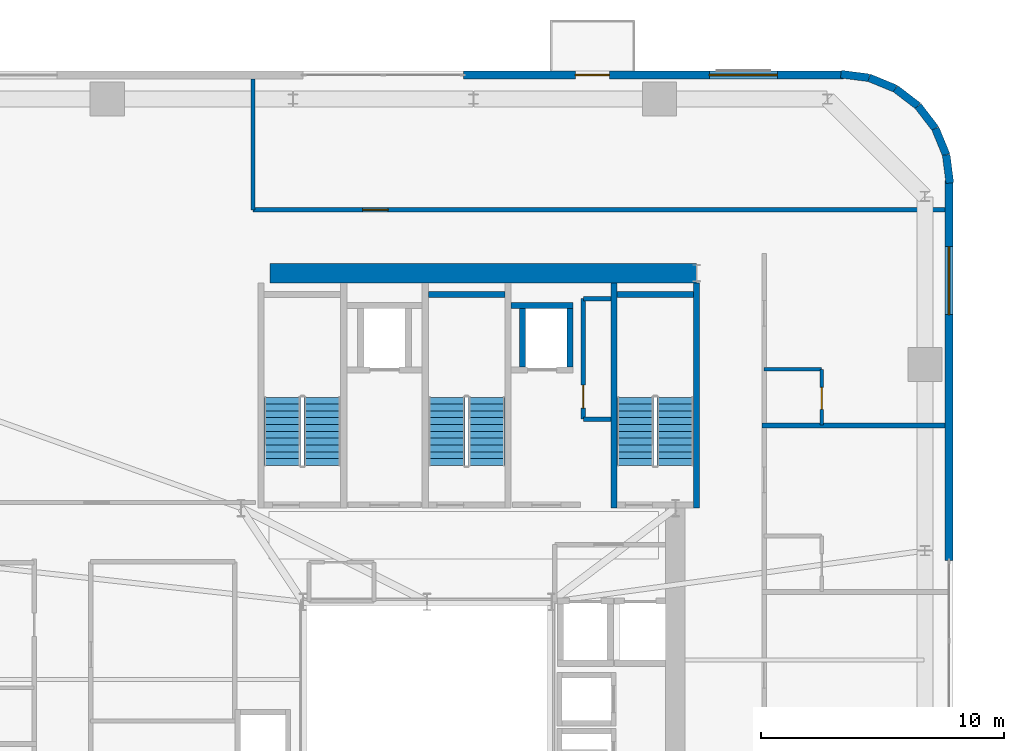
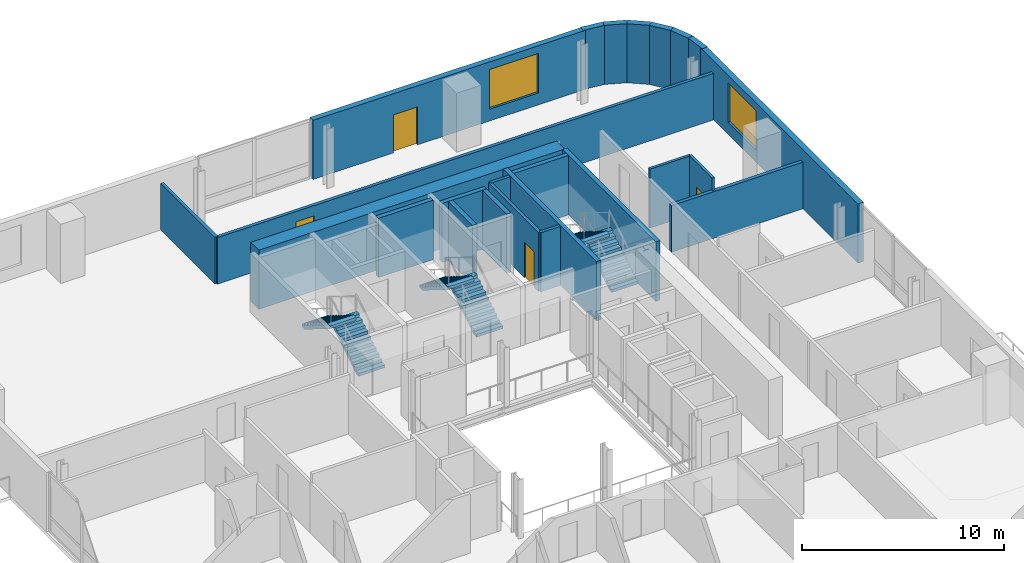
# One storey, part 11 of 16: 24 walls, 6 stair flights, 4 doors, 2 windows, 6 openings, 3 elements without a shape of their own.
"""IFC4 building model written with IfcOpenShell, lengths in metres."""

from ifc_helpers import new_model, si_unit, direction, frame, frame_2d, origin, place, context, subcontext, project, spatial, polyline, rectangle, outline, extrude, source, transform, mapped, material, layer, layer_set, type_object, element, fill, aggregate, save


model = new_model("IFC4")

# Units and contexts
model_context = context("Model", 3, precision=1e-05, world=origin(), true_north=direction((0.0, 1.0)))
body_context = subcontext(model_context, "Body", "Model", "MODEL_VIEW")
ifc_project = project(units=[si_unit("LENGTHUNIT", "METRE"), si_unit("AREAUNIT", "SQUARE_METRE"), si_unit("VOLUMEUNIT", "CUBIC_METRE"), si_unit("PLANEANGLEUNIT", "RADIAN"), si_unit("MASSUNIT", "GRAM", prefix="KILO")], contexts=[model_context])

# Site, building, storey
site_placement = place(None, origin())
site = spatial("IfcSite", under=ifc_project, at=site_placement, CompositionType="ELEMENT")
building_placement = place(site_placement, origin())
building = spatial("IfcBuilding", under=site, at=building_placement, Name="Vardaveli Station Tower", CompositionType="ELEMENT")
storey_placement = place(building_placement, frame((0.0, 0.0, 181.0)))
storey = spatial("IfcBuildingStorey", under=building, at=storey_placement, Name="L46", CompositionType="ELEMENT", Elevation=181.0)

# Wall
ifc_material_1 = material(Name="Concrete C50/60", Category="concrete")
ifc_layer_1 = layer(ifc_material_1, 0.800048828125, Name="Concrete C50/60")
ifc_layer_set_1 = layer_set([ifc_layer_1], Name="Concrete C50/60")
wall_type_1 = type_object("IfcWallType", Name="WAL-CORE-800", PredefinedType="SHEAR", material=ifc_layer_set_1)
shared_shape_1 = source(origin(), body_context, "Body", "SweptSolid", [
    extrude(rectangle(XDim=17.52001953125, YDim=0.800048828125, at=frame_2d((8.760009765625, 0.0))), origin(), (0.0, 0.0, 1.0), 3.580078125),
])
wall_1_placement = place(storey_placement, frame((29.85009765625, 40.300048828125, 0.0), z_axis=(0.0, 0.0, 1.0), x_axis=(1.0, 0.0, 0.0)))
element("IfcWall", 1, at=wall_1_placement, inside=storey, type_object=wall_type_1, Name="SW-L46-NORTH", PredefinedType="SHEAR", context=body_context, shape_type="MappedRepresentation", body=[
    mapped(shared_shape_1, transform((0.0, 0.0, 0.0), scale=1.0)),
])

# Wall, openings, door, window
ifc_material_2 = material(Name="Precast concrete C45/55", Category="concrete")
ifc_layer_2 = layer(ifc_material_2, 0.320068359375, Name="Precast concrete C45/55")
ifc_layer_set_2 = layer_set([ifc_layer_2], Name="Precast concrete C45/55")
wall_type_2 = type_object("IfcWallType", Name="WAL-EXT-STONE-320", PredefinedType="SOLIDWALL", material=ifc_layer_set_2)
shared_shape_2 = source(origin(), body_context, "Body", "SweptSolid", [
    extrude(rectangle(XDim=15.599853515625, YDim=0.320068359375, at=frame_2d((7.7998046875, 0.0))), origin(), (0.0, 0.0, 1.0), 3.580078125),
])
wall_2_placement = place(storey_placement, frame((53.39990234375, 48.43994140625, 0.0), z_axis=(0.0, 0.0, 1.0), x_axis=(-1.0, 0.0, 0.0)))
wall_2 = element("IfcWall", 2, at=wall_2_placement, inside=storey, type_object=wall_type_2, Name="EW-L46-N1", PredefinedType="SOLIDWALL", context=body_context, shape_type="MappedRepresentation", body=[
    mapped(shared_shape_2, transform((0.0, 0.0, 0.0), scale=1.0)),
])
shared_shape_3 = source(origin(), body_context, "Body", "SweptSolid", [
    extrude(rectangle(XDim=1.39990234375, YDim=2.300048828125, at=frame_2d((0.699951171875, 1.14990234375))), frame((0.0, 0.169921875, 0.0), z_axis=(0.0, -1.0, 0.0), x_axis=(1.0, 0.0, 0.0)), (0.0, 0.0, 1.0), 0.340087890625),
])
opening_1_placement = place(wall_2_placement, frame((9.6103515625, 0.0, 0.0)))
opening_1 = element("IfcOpeningElement", 3, at=opening_1_placement, cuts=wall_2, Name="Opening D-09", PredefinedType="OPENING", context=body_context, shape_type="MappedRepresentation", body=[
    mapped(shared_shape_3, transform((0.0, 0.0, 0.0), scale=1.0)),
])
shared_shape_4 = source(origin(), body_context, "Body", "SweptSolid", [
    extrude(rectangle(XDim=2.800048828125, YDim=2.39990234375, at=frame_2d((1.39990234375, 1.199951171875))), frame((0.0, 0.169921875, 0.0), z_axis=(0.0, -1.0, 0.0), x_axis=(1.0, 0.0, 0.0)), (0.0, 0.0, 1.0), 0.340087890625),
])
opening_2_placement = place(wall_2_placement, frame((2.705078125, 0.0, 0.719970703125)))
opening_2 = element("IfcOpeningElement", 4, at=opening_2_placement, cuts=wall_2, Name="Opening W-04", PredefinedType="OPENING", context=body_context, shape_type="MappedRepresentation", body=[
    mapped(shared_shape_4, transform((0.0, 0.0, 0.0), scale=1.0)),
])
ifc_material_3 = material(Name="Thermally broken aluminium glass", Category="aluminium")
door_type_1 = type_object("IfcDoorType", Name="DR-LOG-1400x2300", OperationType="DOUBLE_DOOR_SLIDING", PredefinedType="DOOR", material=ifc_material_3)
shared_shape_5 = source(origin(), body_context, "Body", "SweptSolid", [
    extrude(rectangle(XDim=1.39990234375, YDim=2.300048828125, at=frame_2d((0.699951171875, 1.14990234375))), frame((0.0, 0.02490234375, 0.0), z_axis=(0.0, -1.0, 0.0), x_axis=(1.0, 0.0, 0.0)), (0.0, 0.0, 1.0), 0.050048828125),
])
door_1_placement = place(opening_1_placement, frame((1.39990234375, 0.0, 0.0), z_axis=(0.0, 0.0, 1.0), x_axis=(-1.0, 0.0, 0.0)))
door_1 = element("IfcDoor", 5, at=door_1_placement, inside=storey, type_object=door_type_1, Name="DLG-L46-N", OperationType="DOUBLE_DOOR_SLIDING", OverallHeight=2.300048828125, OverallWidth=1.39990234375, PredefinedType="DOOR", context=body_context, shape_type="MappedRepresentation", body=[
    mapped(shared_shape_5, transform((0.0, 0.0, 0.0), scale=1.0)),
])
fill(opening_1, door_1)
ifc_material_4 = material(Name="Low-E solar-control glass", Category="glass")
window_type = type_object("IfcWindowType", Name="WIN-SUITE-2800x2400", PartitioningType="SINGLE_PANEL", PredefinedType="WINDOW", material=ifc_material_4)
shared_shape_6 = source(origin(), body_context, "Body", "SweptSolid", [
    extrude(rectangle(XDim=2.800048828125, YDim=2.39990234375, at=frame_2d((1.39990234375, 1.199951171875))), frame((0.0, 0.030029296875, 0.0), z_axis=(0.0, -1.0, 0.0), x_axis=(1.0, 0.0, 0.0)), (0.0, 0.0, 1.0), 0.06005859375),
])
window_1_placement = place(opening_2_placement, origin())
window_1 = element("IfcWindow", 6, at=window_1_placement, inside=storey, type_object=window_type, Name="WN-L46-N1", OverallHeight=2.39990234375, OverallWidth=2.800048828125, PartitioningType="SINGLE_PANEL", PredefinedType="WINDOW", context=body_context, shape_type="MappedRepresentation", body=[
    mapped(shared_shape_6, transform((0.0, 0.0, 0.0), scale=1.0)),
])
fill(opening_2, window_1)

# Wall, opening, window
shared_shape_7 = source(origin(), body_context, "Body", "SweptSolid", [
    extrude(rectangle(XDim=15.60009765625, YDim=0.320068359375, at=frame_2d((7.800048828125, 0.0))), origin(), (0.0, 0.0, 1.0), 3.580078125),
])
wall_3_placement = place(storey_placement, frame((57.739990234375, 28.5, 0.0), z_axis=(0.0, 0.0, 1.0), x_axis=(0.0, 1.0, 0.0)))
wall_3 = element("IfcWall", 7, at=wall_3_placement, inside=storey, type_object=wall_type_2, Name="EW-L46-E2", PredefinedType="SOLIDWALL", context=body_context, shape_type="MappedRepresentation", body=[
    mapped(shared_shape_7, transform((0.0, 0.0, 0.0), scale=1.0)),
])
opening_3_placement = place(wall_3_placement, frame((10.094970703125, 0.0, 0.719970703125)))
opening_3 = element("IfcOpeningElement", 8, at=opening_3_placement, cuts=wall_3, Name="Opening W-04", PredefinedType="OPENING", context=body_context, shape_type="MappedRepresentation", body=[
    mapped(shared_shape_4, transform((0.0, 0.0, 0.0), scale=1.0)),
])
window_2_placement = place(opening_3_placement, origin())
window_2 = element("IfcWindow", 9, at=window_2_placement, inside=storey, type_object=window_type, Name="WN-L46-E2", OverallHeight=2.39990234375, OverallWidth=2.800048828125, PartitioningType="SINGLE_PANEL", PredefinedType="WINDOW", context=body_context, shape_type="MappedRepresentation", body=[
    mapped(shared_shape_6, transform((0.0, 0.0, 0.0), scale=1.0)),
])
fill(opening_3, window_2)

# Walls
shared_shape_8 = source(origin(), body_context, "Body", "SweptSolid", [
    extrude(rectangle(XDim=1.1689453125, YDim=0.320068359375, at=frame_2d((0.58447265625, 0.0))), origin(), (0.0, 0.0, 1.0), 3.580078125),
])
wall_4_placement = place(storey_placement, frame((57.179931640625, 46.2412109375, 0.0), z_axis=(0.0, 0.0, 1.0), x_axis=(-0.608387696831, 0.793639975269, 0.0)))
element("IfcWall", 10, at=wall_4_placement, inside=storey, type_object=wall_type_2, Name="EW-L46-CR3-3", PredefinedType="SOLIDWALL", context=body_context, shape_type="MappedRepresentation", body=[
    mapped(shared_shape_8, transform((0.0, 0.0, 0.0), scale=1.0)),
])
shared_shape_9 = source(origin(), body_context, "Body", "SweptSolid", [
    extrude(rectangle(XDim=1.168701171875, YDim=0.320068359375, at=frame_2d((0.58447265625, 0.0))), origin(), (0.0, 0.0, 1.0), 3.580078125),
])
wall_5_placement = place(storey_placement, frame((56.46875, 47.1689453125, 0.0), z_axis=(0.0, 0.0, 1.0), x_axis=(-0.793663520347, 0.608356981114, 0.0)))
element("IfcWall", 11, at=wall_5_placement, inside=storey, type_object=wall_type_2, Name="EW-L46-CR3-4", PredefinedType="SOLIDWALL", context=body_context, shape_type="MappedRepresentation", body=[
    mapped(shared_shape_9, transform((0.0, 0.0, 0.0), scale=1.0)),
])
shared_shape_10 = source(origin(), body_context, "Body", "SweptSolid", [
    extrude(rectangle(XDim=1.17041015625, YDim=0.320068359375, at=frame_2d((0.585205078125, 0.0))), origin(), (0.0, 0.0, 1.0), 3.580078125),
])
for number, where, z_axis, x_axis, name in (
    (12, (57.775634765625, 43.99951171875, 0.0), (0.0, 0.0, 1.0), (-0.128295670475, 0.991735963317, 0.0), "EW-L46-CR3-1"),
    (13, (54.460205078125, 48.325439453125, 0.0), (0.0, 0.0, 1.0), (-0.991735963317, 0.128295670475, 0.0), "EW-L46-CR3-6"),
):
    element("IfcWall", number, at=place(storey_placement, frame(where, z_axis=z_axis, x_axis=x_axis)), inside=storey, type_object=wall_type_2, Name=name, PredefinedType="SOLIDWALL", context=body_context, shape_type="MappedRepresentation", body=[
        mapped(shared_shape_10, transform((0.0, 0.0, 0.0), scale=1.0)),
    ])
shared_shape_11 = source(origin(), body_context, "Body", "SweptSolid", [
    extrude(rectangle(XDim=1.169189453125, YDim=0.320068359375, at=frame_2d((0.58447265625, 0.0))), origin(), (0.0, 0.0, 1.0), 3.580078125),
])
for number, where, z_axis, x_axis, name in (
    (14, (57.62548828125, 45.16015625, 0.0), (0.0, 0.0, 1.0), (-0.381054331552, 0.924552646638, 0.0), "EW-L46-CR3-2"),
    (15, (55.541259765625, 47.8798828125, 0.0), (0.0, 0.0, 1.0), (-0.924552646638, 0.381054331552, 0.0), "EW-L46-CR3-5"),
):
    element("IfcWall", number, at=place(storey_placement, frame(where, z_axis=z_axis, x_axis=x_axis)), inside=storey, type_object=wall_type_2, Name=name, PredefinedType="SOLIDWALL", context=body_context, shape_type="MappedRepresentation", body=[
        mapped(shared_shape_11, transform((0.0, 0.0, 0.0), scale=1.0)),
    ])
ifc_material_5 = material(Name="Concrete C40/50", Category="concrete")
ifc_layer_3 = layer(ifc_material_5, 0.25, Name="Concrete C40/50")
ifc_layer_set_3 = layer_set([ifc_layer_3], Name="Concrete C40/50")
wall_type_3 = type_object("IfcWallType", Name="WAL-SHAFT-250", PredefinedType="SOLIDWALL", material=ifc_layer_set_3)
shared_shape_12 = source(origin(), body_context, "Body", "SweptSolid", [
    extrude(rectangle(XDim=9.25, YDim=0.25, at=frame_2d((4.625, 0.0))), origin(), (0.0, 0.0, 1.0), 3.60009765625),
])
for number, where, z_axis, x_axis, name in (
    (16, (43.97509765625, 30.64990234375, 0.0), (0.0, 0.0, 1.0), (0.0, 1.0, 0.0), "W-L46-ST-3W"),
    (17, (47.375, 30.64990234375, 0.0), (0.0, 0.0, 1.0), (0.0, 1.0, 0.0), "W-L46-ST-3E"),
):
    element("IfcWall", number, at=place(storey_placement, frame(where, z_axis=z_axis, x_axis=x_axis)), inside=storey, type_object=wall_type_3, Name=name, PredefinedType="SOLIDWALL", context=body_context, shape_type="MappedRepresentation", body=[
        mapped(shared_shape_12, transform((0.0, 0.0, 0.0), scale=1.0)),
    ])
shared_shape_13 = source(origin(), body_context, "Body", "SweptSolid", [
    extrude(rectangle(XDim=3.14990234375, YDim=0.25, at=frame_2d((1.574951171875, 0.0))), origin(), (0.0, 0.0, 1.0), 3.60009765625),
])
for number, where, z_axis, x_axis, name in (
    (18, (36.35009765625, 39.425048828125, 0.0), (0.0, 0.0, 1.0), (1.0, 0.0, 0.0), "W-L46-ST-2N"),
    (19, (44.10009765625, 39.425048828125, 0.0), (0.0, 0.0, 1.0), (1.0, 0.0, 0.0), "W-L46-ST-3N"),
):
    element("IfcWall", number, at=place(storey_placement, frame(where, z_axis=z_axis, x_axis=x_axis)), inside=storey, type_object=wall_type_3, Name=name, PredefinedType="SOLIDWALL", context=body_context, shape_type="MappedRepresentation", body=[
        mapped(shared_shape_13, transform((0.0, 0.0, 0.0), scale=1.0)),
    ])
shared_shape_14 = source(origin(), body_context, "Body", "SweptSolid", [
    extrude(rectangle(XDim=2.400146484375, YDim=0.25, at=frame_2d((1.2001953125, 0.0))), origin(), (0.0, 0.0, 1.0), 3.580078125),
])
for number, where, z_axis, x_axis, name in (
    (20, (40.22509765625, 36.449951171875, 0.0), (0.0, 0.0, 1.0), (0.0, 1.0, 0.0), "SHW-FFL-02-L46-W"),
    (21, (42.175048828125, 36.449951171875, 0.0), (0.0, 0.0, 1.0), (0.0, 1.0, 0.0), "SHW-FFL-02-L46-E"),
):
    element("IfcWall", number, at=place(storey_placement, frame(where, z_axis=z_axis, x_axis=x_axis)), inside=storey, type_object=wall_type_3, Name=name, PredefinedType="SOLIDWALL", context=body_context, shape_type="MappedRepresentation", body=[
        mapped(shared_shape_14, transform((0.0, 0.0, 0.0), scale=1.0)),
    ])
shared_shape_15 = source(origin(), body_context, "Body", "SweptSolid", [
    extrude(rectangle(XDim=2.550048828125, YDim=0.25, at=frame_2d((1.27490234375, 0.0))), origin(), (0.0, 0.0, 1.0), 3.580078125),
])
wall_6_placement = place(storey_placement, frame((39.75, 38.97509765625, 0.0), z_axis=(0.0, 0.0, 1.0), x_axis=(1.0, 0.0, 0.0)))
element("IfcWall", 22, at=wall_6_placement, inside=storey, type_object=wall_type_3, Name="SHW-FFL-02-L46-N", PredefinedType="SOLIDWALL", context=body_context, shape_type="MappedRepresentation", body=[
    mapped(shared_shape_15, transform((0.0, 0.0, 0.0), scale=1.0)),
])

# Wall, opening, door
ifc_material_6 = material(Name="Fire-rated gypsum stud partition")
ifc_layer_4 = layer(ifc_material_6, 0.179931640625, Name="Fire-rated gypsum stud partition")
ifc_layer_set_4 = layer_set([ifc_layer_4], Name="Fire-rated gypsum stud partition")
wall_type_4 = type_object("IfcWallType", Name="WAL-CORR-180", PredefinedType="PARTITIONING", material=ifc_layer_set_4)
shared_shape_16 = source(origin(), body_context, "Body", "SweptSolid", [
    extrude(rectangle(XDim=28.427978515625, YDim=0.179931640625, at=frame_2d((14.2138671875, 0.0))), origin(), (0.0, 0.0, 1.0), 2.822021484375),
])
wall_7_placement = place(storey_placement, frame((29.14990234375, 42.89990234375, 0.0), z_axis=(0.0, 0.0, 1.0), x_axis=(1.0, 0.0, 0.0)))
wall_7 = element("IfcWall", 23, at=wall_7_placement, inside=storey, type_object=wall_type_4, Name="W-L46-NPS", PredefinedType="PARTITIONING", context=body_context, shape_type="MappedRepresentation", body=[
    mapped(shared_shape_16, transform((0.0, 0.0, 0.0), scale=1.0)),
])
shared_shape_17 = source(origin(), body_context, "Body", "SweptSolid", [
    extrude(rectangle(XDim=1.050048828125, YDim=2.199951171875, at=frame_2d((0.52490234375, 1.10009765625))), frame((0.0, 0.10009765625, 0.0), z_axis=(0.0, -1.0, 0.0), x_axis=(1.0, 0.0, 0.0)), (0.0, 0.0, 1.0), 0.199951171875),
])
opening_4_placement = place(wall_7_placement, frame((4.5, 0.0, 0.0)))
opening_4 = element("IfcOpeningElement", 24, at=opening_4_placement, cuts=wall_7, Name="Opening D-05", PredefinedType="OPENING", context=body_context, shape_type="MappedRepresentation", body=[
    mapped(shared_shape_17, transform((0.0, 0.0, 0.0), scale=1.0)),
])
ifc_material_7 = material(Name="Walnut veneer acoustic fire door")
door_type_2 = type_object("IfcDoorType", Name="DR-SUITE-1050x2200", OperationType="NOTDEFINED", PredefinedType="DOOR", material=ifc_material_7)
shared_shape_18 = source(origin(), body_context, "Body", "SweptSolid", [
    extrude(rectangle(XDim=1.050048828125, YDim=2.199951171875, at=frame_2d((0.52490234375, 1.10009765625))), frame((0.0, 0.02490234375, 0.0), z_axis=(0.0, -1.0, 0.0), x_axis=(1.0, 0.0, 0.0)), (0.0, 0.0, 1.0), 0.050048828125),
])
door_2_placement = place(opening_4_placement, origin())
door_2 = element("IfcDoor", 25, at=door_2_placement, inside=storey, type_object=door_type_2, Name="D-L46-NP1", OperationType="SINGLE_SWING_LEFT", OverallHeight=2.199951171875, OverallWidth=1.050048828125, PredefinedType="DOOR", context=body_context, shape_type="MappedRepresentation", body=[
    mapped(shared_shape_18, transform((0.0, 0.0, 0.0), scale=1.0)),
])
fill(opening_4, door_2)

ifc_material_8 = material(Name="Moisture-resistant stud partition")
ifc_layer_5 = layer(ifc_material_8, 0.14990234375, Name="Moisture-resistant stud partition")
ifc_layer_set_5 = layer_set([ifc_layer_5], Name="Moisture-resistant stud partition")
wall_type_5 = type_object("IfcWallType", Name="WAL-WET-150", PredefinedType="PARTITIONING", material=ifc_layer_set_5)
shared_shape_19 = source(origin(), body_context, "Body", "SweptSolid", [
    extrude(rectangle(XDim=2.289794921875, YDim=0.14990234375, at=frame_2d((1.14501953125, 0.0))), origin(), (0.0, 0.0, 1.0), 3.580078125),
])
wall_8_placement = place(storey_placement, frame((52.510009765625, 34.05810546875, 0.0), z_axis=(0.0, 0.0, 1.0), x_axis=(0.0, 1.0, 0.0)))
wall_8 = element("IfcWall", 26, at=wall_8_placement, inside=storey, type_object=wall_type_5, Name="W-L46-BE4-E", PredefinedType="PARTITIONING", context=body_context, shape_type="MappedRepresentation", body=[
    mapped(shared_shape_19, transform((0.0, 0.0, 0.0), scale=1.0)),
])
shared_shape_20 = source(origin(), body_context, "Body", "SweptSolid", [
    extrude(rectangle(XDim=0.89990234375, YDim=2.10009765625, at=frame_2d((0.449951171875, 1.050048828125))), frame((0.0, 0.0849609375, 0.0), z_axis=(0.0, -1.0, 0.0), x_axis=(1.0, 0.0, 0.0)), (0.0, 0.0, 1.0), 0.169921875),
])
opening_5_placement = place(wall_8_placement, frame((0.64990234375, 0.0, 0.0)))
opening_5 = element("IfcOpeningElement", 27, at=opening_5_placement, cuts=wall_8, Name="Opening D-08", PredefinedType="OPENING", context=body_context, shape_type="MappedRepresentation", body=[
    mapped(shared_shape_20, transform((0.0, 0.0, 0.0), scale=1.0)),
])
ifc_material_9 = material(Name="Moisture-resistant oak door")
door_type_3 = type_object("IfcDoorType", Name="DR-BATH-900x2100", OperationType="NOTDEFINED", PredefinedType="DOOR", material=ifc_material_9)
shared_shape_21 = source(origin(), body_context, "Body", "SweptSolid", [
    extrude(rectangle(XDim=0.89990234375, YDim=2.10009765625, at=frame_2d((0.449951171875, 1.050048828125))), frame((0.0, 0.02490234375, 0.0), z_axis=(0.0, -1.0, 0.0), x_axis=(1.0, 0.0, 0.0)), (0.0, 0.0, 1.0), 0.050048828125),
])
door_3_placement = place(opening_5_placement, origin())
door_3 = element("IfcDoor", 28, at=door_3_placement, inside=storey, type_object=door_type_3, Name="D-L46-BE4", OperationType="SINGLE_SWING_LEFT", OverallHeight=2.10009765625, OverallWidth=0.89990234375, PredefinedType="DOOR", context=body_context, shape_type="MappedRepresentation", body=[
    mapped(shared_shape_21, transform((0.0, 0.0, 0.0), scale=1.0)),
])
fill(opening_5, door_3)

# Walls
ifc_material_10 = material(Name="Acoustic twin-stud gypsum partition")
ifc_layer_6 = layer(ifc_material_10, 0.199951171875, Name="Acoustic twin-stud gypsum partition")
ifc_layer_set_6 = layer_set([ifc_layer_6], Name="Acoustic twin-stud gypsum partition")
wall_type_6 = type_object("IfcWallType", Name="WAL-PARTY-200", PredefinedType="PARTITIONING", material=ifc_layer_set_6)
shared_shape_22 = source(origin(), body_context, "Body", "SweptSolid", [
    extrude(rectangle(XDim=7.52783203125, YDim=0.199951171875, at=frame_2d((3.763916015625, 0.0))), origin(), (0.0, 0.0, 1.0), 2.822021484375),
])
wall_9_placement = place(storey_placement, frame((50.050048828125, 34.0380859375, 0.0), z_axis=(0.0, 0.0, 1.0), x_axis=(1.0, 0.0, 0.0)))
element("IfcWall", 29, at=wall_9_placement, inside=storey, type_object=wall_type_6, Name="W-L46-PE3", PredefinedType="PARTITIONING", context=body_context, shape_type="MappedRepresentation", body=[
    mapped(shared_shape_22, transform((0.0, 0.0, 0.0), scale=1.0)),
])
shared_shape_23 = source(origin(), body_context, "Body", "SweptSolid", [
    extrude(rectangle(XDim=2.360107421875, YDim=0.14990234375, at=frame_2d((1.18017578125, 0.0))), origin(), (0.0, 0.0, 1.0), 3.580078125),
])
wall_10_placement = place(storey_placement, frame((50.14990234375, 36.347900390625, 0.0), z_axis=(0.0, 0.0, 1.0), x_axis=(1.0, 0.0, 0.0)))
element("IfcWall", 30, at=wall_10_placement, inside=storey, type_object=wall_type_5, Name="W-L46-BE4-N", PredefinedType="PARTITIONING", context=body_context, shape_type="MappedRepresentation", body=[
    mapped(shared_shape_23, transform((0.0, 0.0, 0.0), scale=1.0)),
])

# Wall, opening, door
shared_shape_24 = source(origin(), body_context, "Body", "SweptSolid", [
    extrude(rectangle(XDim=4.949951171875, YDim=0.179931640625, at=frame_2d((2.47509765625, 0.0))), origin(), (0.0, 0.0, 1.0), 3.580078125),
])
wall_11_placement = place(storey_placement, frame((42.719970703125, 34.300048828125, 0.0), z_axis=(0.0, 0.0, 1.0), x_axis=(0.0, 1.0, 0.0)))
wall_11 = element("IfcWall", 31, at=wall_11_placement, inside=storey, type_object=wall_type_4, Name="W-L46-CBS1-W", PredefinedType="PARTITIONING", context=body_context, shape_type="MappedRepresentation", body=[
    mapped(shared_shape_24, transform((0.0, 0.0, 0.0), scale=1.0)),
])
shared_shape_25 = source(origin(), body_context, "Body", "SweptSolid", [
    extrude(rectangle(XDim=0.949951171875, YDim=2.14990234375, at=frame_2d((0.47509765625, 1.074951171875))), frame((0.0, 0.10009765625, 0.0), z_axis=(0.0, -1.0, 0.0), x_axis=(1.0, 0.0, 0.0)), (0.0, 0.0, 1.0), 0.199951171875),
])
opening_6_placement = place(wall_11_placement, frame((0.449951171875, 0.0, 0.0)))
opening_6 = element("IfcOpeningElement", 32, at=opening_6_placement, cuts=wall_11, Name="Opening D-06", PredefinedType="OPENING", context=body_context, shape_type="MappedRepresentation", body=[
    mapped(shared_shape_25, transform((0.0, 0.0, 0.0), scale=1.0)),
])
ifc_material_11 = material(Name="Oak veneer acoustic fire door")
door_type_4 = type_object("IfcDoorType", Name="DR-GUEST-950x2150", OperationType="NOTDEFINED", PredefinedType="DOOR", material=ifc_material_11)
shared_shape_26 = source(origin(), body_context, "Body", "SweptSolid", [
    extrude(rectangle(XDim=0.949951171875, YDim=2.14990234375, at=frame_2d((0.47509765625, 1.074951171875))), frame((0.0, 0.02490234375, 0.0), z_axis=(0.0, -1.0, 0.0), x_axis=(1.0, 0.0, 0.0)), (0.0, 0.0, 1.0), 0.050048828125),
])
door_4_placement = place(opening_6_placement, origin())
door_4 = element("IfcDoor", 33, at=door_4_placement, inside=storey, type_object=door_type_4, Name="D-L46-HKP", OperationType="SINGLE_SWING_LEFT", OverallHeight=2.14990234375, OverallWidth=0.949951171875, PredefinedType="DOOR", context=body_context, shape_type="MappedRepresentation", body=[
    mapped(shared_shape_26, transform((0.0, 0.0, 0.0), scale=1.0)),
])
fill(opening_6, door_4)

# Walls
shared_shape_27 = source(origin(), body_context, "Body", "SweptSolid", [
    extrude(rectangle(XDim=5.378173828125, YDim=0.179931640625, at=frame_2d((2.68896484375, 0.0))), origin(), (0.0, 0.0, 1.0), 2.822021484375),
])
wall_12_placement = place(storey_placement, frame((29.14990234375, 42.89990234375, 0.0), z_axis=(0.0, 0.0, 1.0), x_axis=(0.0, 1.0, 0.0)))
element("IfcWall", 34, at=wall_12_placement, inside=storey, type_object=wall_type_4, Name="W-L46-NPW", PredefinedType="PARTITIONING", context=body_context, shape_type="MappedRepresentation", body=[
    mapped(shared_shape_27, transform((0.0, 0.0, 0.0), scale=1.0)),
])
shared_shape_28 = source(origin(), body_context, "Body", "SweptSolid", [
    extrude(rectangle(XDim=1.1279296875, YDim=0.179931640625, at=frame_2d((0.56396484375, 0.0))), origin(), (0.0, 0.0, 1.0), 3.580078125),
])
for number, where, z_axis, x_axis, name in (
    (35, (42.719970703125, 34.300048828125, 0.0), (0.0, 0.0, 1.0), (1.0, 0.0, 0.0), "W-L46-CBS1-S"),
    (36, (42.719970703125, 39.25, 0.0), (0.0, 0.0, 1.0), (1.0, 0.0, 0.0), "W-L46-CBS1-N"),
):
    element("IfcWall", number, at=place(storey_placement, frame(where, z_axis=z_axis, x_axis=x_axis)), inside=storey, type_object=wall_type_4, Name=name, PredefinedType="PARTITIONING", context=body_context, shape_type="MappedRepresentation", body=[
        mapped(shared_shape_28, transform((0.0, 0.0, 0.0), scale=1.0)),
    ])

# Stair, stair flights
stair_type = type_object("IfcStairType", Name="STR-CORE-1500", PredefinedType="HALF_TURN_STAIR", material=ifc_material_5)
stair_1_placement = place(storey_placement, origin())
stair_1 = element("IfcStair", 37, at=stair_1_placement, inside=storey, type_object=stair_type, Name="L46 ST-1", PredefinedType="HALF_TURN_STAIR")
stair_flight_type = type_object("IfcStairFlightType", Name="SFL-CORE-1500", PredefinedType="STRAIGHT", material=ifc_material_5)
shared_shape_29 = source(origin(), body_context, "Body", "SweptSolid", [
    extrude(outline(polyline([(0.0, 0.0), (0.0, 0.172607421875), (0.280029296875, 0.172607421875), (0.280029296875, 0.345458984375), (0.56005859375, 0.345458984375), (0.56005859375, 0.51806640625), (0.840087890625, 0.51806640625), (0.840087890625, 0.69091796875), (1.1201171875, 0.69091796875), (1.1201171875, 0.863525390625), (1.39990234375, 0.863525390625), (1.39990234375, 1.036376953125), (1.679931640625, 1.036376953125), (1.679931640625, 1.208984375), (1.9599609375, 1.208984375), (1.9599609375, 1.3818359375), (2.239990234375, 1.3818359375), (2.239990234375, 1.554443359375), (2.52001953125, 1.554443359375), (2.52001953125, 1.727294921875), (2.800048828125, 1.727294921875), (2.800048828125, 1.89990234375), (2.800048828125, 1.551025390625), (0.285400390625, 0.0), (0.0, 0.0)])), frame((0.0, 0.75, 0.0), z_axis=(0.0, -1.0, 0.0), x_axis=(1.0, 0.0, 0.0)), (0.0, 0.0, 1.0), 1.5),
])
stair_flight_1_placement = place(storey_placement, frame((32.0, 32.39990234375, 0.0), z_axis=(0.0, 0.0, 1.0), x_axis=(0.0, 1.0, 0.0)))
stair_flight_1 = element("IfcStairFlight", 38, at=stair_flight_1_placement, type_object=stair_flight_type, Name="ST-1 flight 1", NumberOfRisers=11, NumberOfTreads=10, PredefinedType="STRAIGHT", RiserHeight=0.172727273, TreadLength=0.28, context=body_context, shape_type="MappedRepresentation", body=[
    mapped(shared_shape_29, transform((0.0, 0.0, 0.0), scale=1.0)),
])
stair_flight_2_placement = place(storey_placement, frame((30.35009765625, 35.199951171875, 1.89990234375), z_axis=(0.0, 0.0, 1.0), x_axis=(0.0, -1.0, 0.0)))
stair_flight_2 = element("IfcStairFlight", 39, at=stair_flight_2_placement, type_object=stair_flight_type, Name="ST-1 flight 2", NumberOfRisers=11, NumberOfTreads=10, PredefinedType="STRAIGHT", RiserHeight=0.172727273, TreadLength=0.28, context=body_context, shape_type="MappedRepresentation", body=[
    mapped(shared_shape_29, transform((0.0, 0.0, 0.0), scale=1.0)),
])
aggregate(stair_1, [stair_flight_1, stair_flight_2])

stair_2_placement = place(storey_placement, origin())
stair_2 = element("IfcStair", 40, at=stair_2_placement, inside=storey, type_object=stair_type, Name="L46 ST-2", PredefinedType="HALF_TURN_STAIR")
stair_flight_3_placement = place(storey_placement, frame((38.75, 32.39990234375, 0.0), z_axis=(0.0, 0.0, 1.0), x_axis=(0.0, 1.0, 0.0)))
stair_flight_3 = element("IfcStairFlight", 41, at=stair_flight_3_placement, type_object=stair_flight_type, Name="ST-2 flight 1", NumberOfRisers=11, NumberOfTreads=10, PredefinedType="STRAIGHT", RiserHeight=0.172727273, TreadLength=0.28, context=body_context, shape_type="MappedRepresentation", body=[
    mapped(shared_shape_29, transform((0.0, 0.0, 0.0), scale=1.0)),
])
stair_flight_4_placement = place(storey_placement, frame((37.10009765625, 35.199951171875, 1.89990234375), z_axis=(0.0, 0.0, 1.0), x_axis=(0.0, -1.0, 0.0)))
stair_flight_4 = element("IfcStairFlight", 42, at=stair_flight_4_placement, type_object=stair_flight_type, Name="ST-2 flight 2", NumberOfRisers=11, NumberOfTreads=10, PredefinedType="STRAIGHT", RiserHeight=0.172727273, TreadLength=0.28, context=body_context, shape_type="MappedRepresentation", body=[
    mapped(shared_shape_29, transform((0.0, 0.0, 0.0), scale=1.0)),
])
aggregate(stair_2, [stair_flight_3, stair_flight_4])

stair_3_placement = place(storey_placement, origin())
stair_3 = element("IfcStair", 43, at=stair_3_placement, inside=storey, type_object=stair_type, Name="L46 ST-3", PredefinedType="HALF_TURN_STAIR")
stair_flight_5_placement = place(storey_placement, frame((46.5, 32.39990234375, 0.0), z_axis=(0.0, 0.0, 1.0), x_axis=(0.0, 1.0, 0.0)))
stair_flight_5 = element("IfcStairFlight", 44, at=stair_flight_5_placement, type_object=stair_flight_type, Name="ST-3 flight 1", NumberOfRisers=11, NumberOfTreads=10, PredefinedType="STRAIGHT", RiserHeight=0.172727273, TreadLength=0.28, context=body_context, shape_type="MappedRepresentation", body=[
    mapped(shared_shape_29, transform((0.0, 0.0, 0.0), scale=1.0)),
])
stair_flight_6_placement = place(storey_placement, frame((44.85009765625, 35.199951171875, 1.89990234375), z_axis=(0.0, 0.0, 1.0), x_axis=(0.0, -1.0, 0.0)))
stair_flight_6 = element("IfcStairFlight", 45, at=stair_flight_6_placement, type_object=stair_flight_type, Name="ST-3 flight 2", NumberOfRisers=11, NumberOfTreads=10, PredefinedType="STRAIGHT", RiserHeight=0.172727273, TreadLength=0.28, context=body_context, shape_type="MappedRepresentation", body=[
    mapped(shared_shape_29, transform((0.0, 0.0, 0.0), scale=1.0)),
])
aggregate(stair_3, [stair_flight_5, stair_flight_6])

save(model, "model.ifc")
